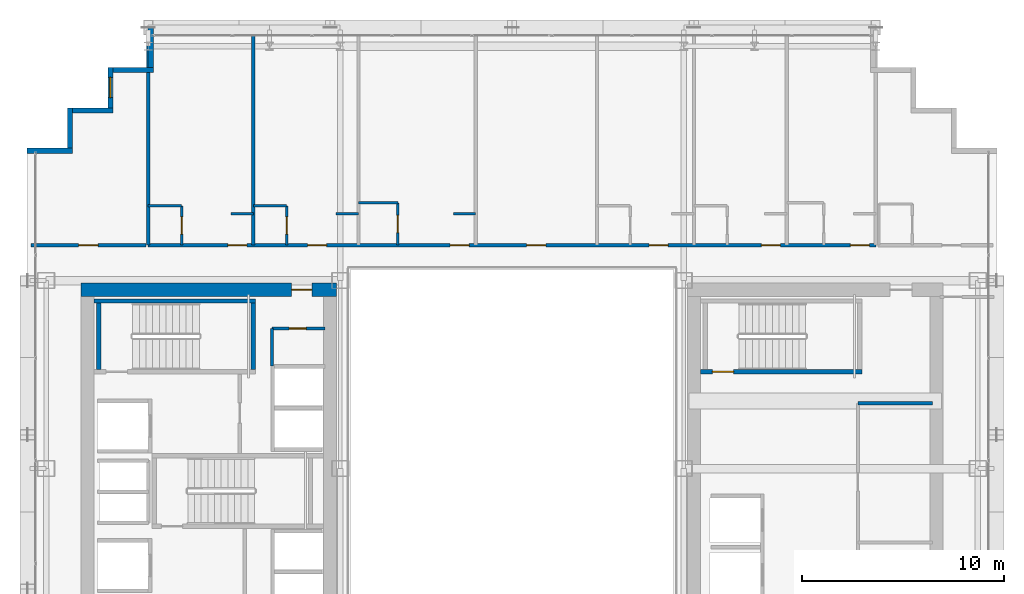
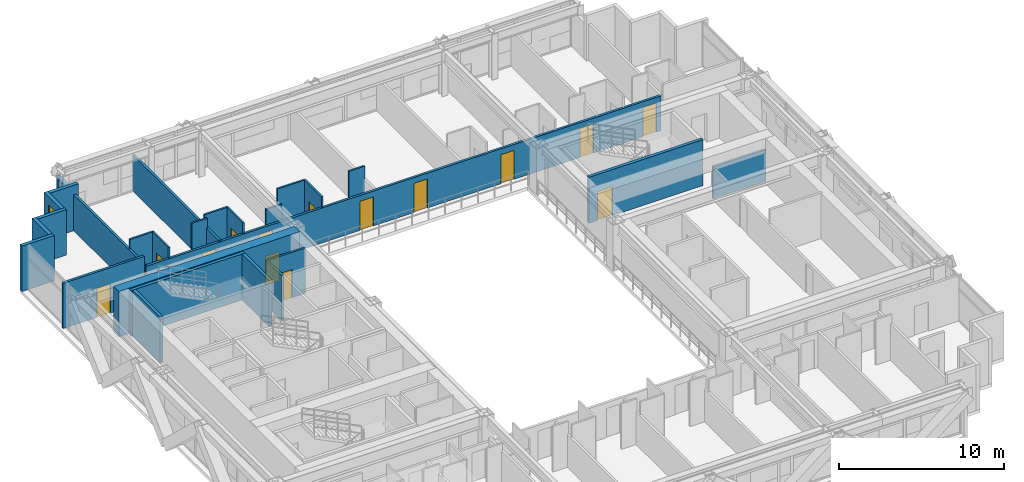
# One storey, part 30 of 35: 27 walls, 14 doors, 1 window, 15 openings.
"""IFC4 building model written with IfcOpenShell, lengths in metres."""

import ifcopenshell
import ifcopenshell.guid

model = None  # the IFC model being written
_history = None  # IfcOwnerHistory: only IFC2X3 demands one
_inside = {}  # id of a spatial element -> (the spatial element, [elements in it])
_under = {}  # id of a project, library or spatial element -> (it, [spatial elements below it])
_declared = {}  # id of a project -> (the project, [libraries it declares])
_typed = {}  # id of a type object -> (the type object, [elements of that type])
_made_of = {}  # id of a material, layer set ... -> (it, [elements and type objects made of it])


def new_model(schema):
    """Start an empty IFC model of exactly this schema.

    Asked for "IFC4X3", IfcOpenShell would pick the latest addendum, in which some entities
    have other attributes; the version numbers below select the first issue.
    IFC2X3 requires an IfcOwnerHistory on every rooted entity: one is made here for all.
    """
    global model, _history
    if schema == "IFC4X3":
        model = ifcopenshell.file(schema_version=(4, 3, 0, 0))
    else:
        model = ifcopenshell.file(schema=schema)
    _inside.clear()
    _under.clear()
    _declared.clear()
    _typed.clear()
    _made_of.clear()
    _history = None
    if model.schema == "IFC2X3":
        org = make("IfcOrganization", Name="unknown")
        user = make(
            "IfcPersonAndOrganization",
            ThePerson=make("IfcPerson", FamilyName="unknown"),
            TheOrganization=org,
        )
        app = make(
            "IfcApplication",
            ApplicationDeveloper=org,
            Version="unknown",
            ApplicationFullName="unknown",
            ApplicationIdentifier="unknown",
        )
        _history = make(
            "IfcOwnerHistory",
            OwningUser=user,
            OwningApplication=app,
            ChangeAction="ADDED",
            CreationDate=0,
        )
    return model


def make(cls, **values):
    """One entity of the class cls with the attributes given. An attribute that is None is left unset."""
    return model.create_entity(
        cls, **{name: value for name, value in values.items() if value is not None}
    )


def rooted(cls, **values):
    """An entity with a GlobalId (a new one), such as an element, a storey or a relation."""
    return make(cls, GlobalId=ifcopenshell.guid.new(), OwnerHistory=_history, **values)


def si_unit(unit_type, name, prefix=None):
    """IfcSIUnit, for example si_unit("LENGTHUNIT", "METRE", prefix="MILLI")."""
    return make("IfcSIUnit", UnitType=unit_type, Prefix=prefix, Name=name)


def assignment(units):
    """IfcUnitAssignment: the units of a project."""
    return None if units is None else make("IfcUnitAssignment", Units=units)


def point(xyz):
    """IfcCartesianPoint."""
    return None if xyz is None else make("IfcCartesianPoint", Coordinates=xyz)


def direction(xyz):
    """IfcDirection."""
    return None if xyz is None else make("IfcDirection", DirectionRatios=xyz)


def frame(location, z_axis=None, x_axis=None):
    """IfcAxis2Placement3D, a coordinate frame: its origin and axes. An axis left out is left unset."""
    return make(
        "IfcAxis2Placement3D",
        Location=point(location),
        Axis=direction(z_axis),
        RefDirection=direction(x_axis),
    )


def frame_2d(location, x_axis=None):
    """IfcAxis2Placement2D, a coordinate frame in the plane: its origin and x axis."""
    return make(
        "IfcAxis2Placement2D", Location=point(location), RefDirection=direction(x_axis)
    )


def origin():
    """The frame at (0, 0, 0) with its axes left unset."""
    return frame((0.0, 0.0, 0.0))


def place(relative_to, where):
    """IfcLocalPlacement: puts the frame where relative to a parent placement (None: the world)."""
    return make(
        "IfcLocalPlacement", PlacementRelTo=relative_to, RelativePlacement=where
    )


def context(
    kind, dimensions, precision=None, world=None, true_north=None, identifier=None
):
    """IfcGeometricRepresentationContext, for example the 3D "Model" context."""
    return make(
        "IfcGeometricRepresentationContext",
        ContextIdentifier=identifier,
        ContextType=kind,
        CoordinateSpaceDimension=dimensions,
        Precision=precision,
        WorldCoordinateSystem=world,
        TrueNorth=true_north,
    )


def subcontext(parent, identifier, kind, view, scale=None):
    """IfcGeometricRepresentationSubContext, for example "Body" below "Model"."""
    return make(
        "IfcGeometricRepresentationSubContext",
        ContextIdentifier=identifier,
        ContextType=kind,
        ParentContext=parent,
        TargetScale=scale,
        TargetView=view,
    )


def project(units=None, contexts=None):
    """IfcProject with its units and contexts."""
    return rooted(
        "IfcProject",
        Name="project",
        RepresentationContexts=contexts,
        UnitsInContext=assignment(units),
    )


def spatial(cls, under=None, at=None, **own):
    """A site, building, storey or space (cls), placed at a placement, below another one or the project."""
    s = rooted(cls, ObjectPlacement=at, **own)
    if under is not None:
        _under.setdefault(under.id(), (under, []))[1].append(s)
    return s


def profile(cls, at=None, kind="AREA", **sizes):
    """A parametric profile (cls). Its sizes go by their IFC names, for example OverallWidth=200.0."""
    return make(cls, ProfileType=kind, Position=at, **sizes)


def rectangle(**sizes):
    """IfcRectangleProfileDef."""
    return profile("IfcRectangleProfileDef", **sizes)


def extrude(swept, where, along, depth):
    """IfcExtrudedAreaSolid: the profile swept, set in the frame where, extruded along a direction by depth."""
    return make(
        "IfcExtrudedAreaSolid",
        SweptArea=swept,
        Position=where,
        ExtrudedDirection=direction(along),
        Depth=depth,
    )


def shape(context_of_items, identifier, shape_type, items):
    """IfcShapeRepresentation: the items that make up one representation, for example the "Body"."""
    return make(
        "IfcShapeRepresentation",
        ContextOfItems=context_of_items,
        RepresentationIdentifier=identifier,
        RepresentationType=shape_type,
        Items=items,
    )


def source(mapping_origin, context_of_items, identifier, shape_type, items):
    """IfcRepresentationMap: a shape defined once, which mapped items show again and again."""
    return make(
        "IfcRepresentationMap",
        MappingOrigin=mapping_origin,
        MappedRepresentation=shape(context_of_items, identifier, shape_type, items),
    )


def transform(
    local_origin,
    x_axis=None,
    y_axis=None,
    z_axis=None,
    scale=None,
    scale2=None,
    scale3=None,
    uniform=True,
):
    """IfcCartesianTransformationOperator3D, or its non-uniform kind. x_axis, y_axis, z_axis: its Axis1, 2, 3."""
    if uniform:
        return make(
            "IfcCartesianTransformationOperator3D",
            Axis1=direction(x_axis),
            Axis2=direction(y_axis),
            LocalOrigin=point(local_origin),
            Scale=scale,
            Axis3=direction(z_axis),
        )
    return make(
        "IfcCartesianTransformationOperator3DnonUniform",
        Axis1=direction(x_axis),
        Axis2=direction(y_axis),
        LocalOrigin=point(local_origin),
        Scale=scale,
        Axis3=direction(z_axis),
        Scale2=scale2,
        Scale3=scale3,
    )


def mapped(mapping_source, mapping_target):
    """IfcMappedItem: shows the shape of a source again, moved by a transform."""
    return make(
        "IfcMappedItem", MappingSource=mapping_source, MappingTarget=mapping_target
    )


def material(Name=None, Category=None):
    """IfcMaterial."""
    return make("IfcMaterial", Name=Name, Category=Category)


def layer(
    of_material, thickness, ventilated=None, Name=None, Category=None, Priority=None
):
    """IfcMaterialLayer: one layer of a wall or slab, of a material (None: an air gap)."""
    return make(
        "IfcMaterialLayer",
        Material=of_material,
        LayerThickness=thickness,
        IsVentilated=ventilated,
        Name=Name,
        Category=Category,
        Priority=Priority,
    )


def layer_set(layers, Name=None):
    """IfcMaterialLayerSet."""
    return make("IfcMaterialLayerSet", MaterialLayers=layers, LayerSetName=Name)


def made_of(thing, what):
    """Note that an element or type object is made of a material, layer set ...; save() writes the relation."""
    if what is not None:
        _made_of.setdefault(what.id(), (what, []))[1].append(thing)
    return thing


def type_object(cls, material=None, **own):
    """A type object (cls), such as IfcWallType, which elements share."""
    return made_of(rooted(cls, **own), material)


def element(
    cls,
    number,
    at=None,
    inside=None,
    cuts=None,
    type_object=None,
    material=None,
    context=None,
    identifier="Body",
    shape_type=None,
    held_by="IfcProductDefinitionShape",
    body=None,
    shapes=None,
    **own,
):
    """One element of the class cls, such as IfcWall. Its Tag is "e" and its number.

    at: its placement. inside: the storey or other place that contains it. cuts: it is an
    opening in that element (IfcRelVoidsElement). A single representation is given by context,
    identifier, shape_type and body (its items); several are given by shapes. held_by: the class
    of the entity that holds the representations. save() writes the other relations.
    """
    e = rooted(cls, Tag="e%d" % number, ObjectPlacement=at, **own)
    if body is not None:
        shapes = [shape(context, identifier, shape_type, body)]
    if shapes is not None:
        e.Representation = make(held_by, Representations=shapes)
    if inside is not None:
        _inside.setdefault(inside.id(), (inside, []))[1].append(e)
    if cuts is not None:
        rooted(
            "IfcRelVoidsElement", RelatingBuildingElement=cuts, RelatedOpeningElement=e
        )
    if type_object is not None:
        _typed.setdefault(type_object.id(), (type_object, []))[1].append(e)
    return made_of(e, material)


def fill(opening, filler):
    """IfcRelFillsElement: the door or window that sits in an opening."""
    return rooted(
        "IfcRelFillsElement",
        RelatingOpeningElement=opening,
        RelatedBuildingElement=filler,
    )


def aggregate(whole, parts):
    """IfcRelAggregates: a whole, such as a stair, and the parts it consists of."""
    return rooted("IfcRelAggregates", RelatingObject=whole, RelatedObjects=parts)


def save(model, path):
    """Write the relations noted so far, then the file.

    IfcRelAggregates (storeys below a building ...), IfcRelContainedInSpatialStructure (elements
    in a storey), IfcRelDefinesByType, IfcRelAssociatesMaterial and IfcRelDeclares: one each for
    every whole, place, type object, material and project.
    """
    for whole, parts in _under.values():
        aggregate(whole, parts)
    for where, things in _inside.values():
        rooted(
            "IfcRelContainedInSpatialStructure",
            RelatedElements=things,
            RelatingStructure=where,
        )
    for kind, things in _typed.values():
        rooted("IfcRelDefinesByType", RelatedObjects=things, RelatingType=kind)
    for what, things in _made_of.values():
        rooted("IfcRelAssociatesMaterial", RelatedObjects=things, RelatingMaterial=what)
    for by, libraries in _declared.values():
        rooted("IfcRelDeclares", RelatingContext=by, RelatedDefinitions=libraries)
    model.write(path)


model = new_model("IFC4")

# Units and contexts
model_context = context("Model", 3, precision=1e-05, world=origin(), true_north=direction((0.0, 1.0)))
body_context = subcontext(model_context, "Body", "Model", "MODEL_VIEW")
ifc_project = project(units=[si_unit("LENGTHUNIT", "METRE"), si_unit("AREAUNIT", "SQUARE_METRE"), si_unit("VOLUMEUNIT", "CUBIC_METRE"), si_unit("PLANEANGLEUNIT", "RADIAN"), si_unit("MASSUNIT", "GRAM", prefix="KILO")], contexts=[model_context])

# Site, building, storey
site_placement = place(None, origin())
site = spatial("IfcSite", under=ifc_project, at=site_placement, CompositionType="ELEMENT")
building_placement = place(site_placement, origin())
building = spatial("IfcBuilding", under=site, at=building_placement, Name="Ocotamira Hotel", CompositionType="ELEMENT")
storey_placement = place(building_placement, frame((0.0, 0.0, 100.800048828125)))
storey = spatial("IfcBuildingStorey", under=building, at=storey_placement, Name="L24", CompositionType="ELEMENT", Elevation=100.800048828125)

# Wall, opening, door
ifc_material_1 = material(Name="Concrete C60/75", Category="concrete")
ifc_layer_1 = layer(ifc_material_1, 0.64990234375)
ifc_layer_set_1 = layer_set([ifc_layer_1], Name="Concrete C60/75")
wall_type_1 = type_object("IfcWallType", Name="WL-CORE-650", PredefinedType="SHEAR", material=ifc_layer_set_1)
wall_1_placement = place(storey_placement, frame((10.675048828125, 37.0, 0.0), z_axis=(0.0, 0.0, 1.0), x_axis=(1.0, 0.0, 0.0)))
wall_1 = element("IfcWall", 1, at=wall_1_placement, inside=storey, type_object=wall_type_1, Name="L24 Shear Core Wall WCORE-N", PredefinedType="SHEAR", context=body_context, shape_type="SweptSolid", body=[
    extrude(rectangle(XDim=12.64990234375, YDim=0.64990234375, at=frame_2d((6.324951171875, 0.0))), origin(), (0.0, 0.0, 1.0), 3.35986328125),
])
opening_1_placement = place(wall_1_placement, frame((10.425048828125, 0.0, 0.0)))
opening_1 = element("IfcOpeningElement", 2, at=opening_1_placement, cuts=wall_1, Name="Opening D-FR2", PredefinedType="OPENING", context=body_context, shape_type="SweptSolid", body=[
    extrude(rectangle(XDim=1.0, YDim=2.14990234375, at=frame_2d((0.5, 1.074951171875))), frame((0.0, 0.3349609375, 0.0), z_axis=(0.0, -1.0, 0.0), x_axis=(1.0, 0.0, 0.0)), (0.0, 0.0, 1.0), 0.669921875),
])
ifc_material_2 = material(Name="Fire-rated acoustic timber-veneer door", Category="wood")
door_type_1 = type_object("IfcDoorType", Name="DR-FIRE-1000", OperationType="NOTDEFINED", PredefinedType="DOOR", material=ifc_material_2)
shared_shape_1 = source(origin(), body_context, "Body", "SweptSolid", [
    extrude(rectangle(XDim=1.0, YDim=2.14990234375, at=frame_2d((0.5, 1.074951171875))), frame((0.0, 0.02490234375, 0.0), z_axis=(0.0, -1.0, 0.0), x_axis=(1.0, 0.0, 0.0)), (0.0, 0.0, 1.0), 0.050048828125),
])
door_1_placement = place(opening_1_placement, origin())
door_1 = element("IfcDoor", 3, at=door_1_placement, inside=storey, type_object=door_type_1, Name="L24 Door ID-L24-WLOB-N-D [ID-L24-WLOB-N-D]", OperationType="SINGLE_SWING_RIGHT", OverallHeight=2.14990234375, OverallWidth=1.0, PredefinedType="DOOR", context=body_context, shape_type="MappedRepresentation", body=[
    mapped(shared_shape_1, transform((0.0, 0.0, 0.0), scale=1.0)),
])
fill(opening_1, door_1)

# Walls
ifc_material_3 = material(Name="Precast concrete C45/55", Category="concrete")
ifc_layer_2 = layer(ifc_material_3, 0.25)
ifc_layer_set_2 = layer_set([ifc_layer_2], Name="Precast concrete C45/55")
wall_type_2 = type_object("IfcWallType", Name="WL-EXT-SER-250", PredefinedType="SOLIDWALL", material=ifc_layer_set_2)
wall_2_placement = place(storey_placement, frame((14.125, 50.0, 0.0), z_axis=(0.0, 0.0, 1.0), x_axis=(0.0, -1.0, 0.0)))
element("IfcWall", 4, at=wall_2_placement, inside=storey, type_object=wall_type_2, Name="L24 Serrated Corner Wall 13", PredefinedType="SOLIDWALL", context=body_context, shape_type="SweptSolid", body=[
    extrude(rectangle(XDim=2.0, YDim=0.25, at=frame_2d((1.0, 0.0))), origin(), (0.0, 0.0, 1.0), 2.6669921875),
])
wall_3_placement = place(storey_placement, frame((14.25, 47.875, 0.0), z_axis=(0.0, 0.0, 1.0), x_axis=(-1.0, 0.0, 0.0)))
element("IfcWall", 5, at=wall_3_placement, inside=storey, type_object=wall_type_2, Name="L24 Serrated Corner Wall 14", PredefinedType="SOLIDWALL", context=body_context, shape_type="SweptSolid", body=[
    extrude(rectangle(XDim=2.0, YDim=0.25, at=frame_2d((1.0, 0.0))), origin(), (0.0, 0.0, 1.0), 3.35986328125),
])

# Wall, opening, window
wall_4_placement = place(storey_placement, frame((12.125, 48.0, 0.0), z_axis=(0.0, 0.0, 1.0), x_axis=(0.0, -1.0, 0.0)))
wall_4 = element("IfcWall", 6, at=wall_4_placement, inside=storey, type_object=wall_type_2, Name="L24 Serrated Corner Wall 15", PredefinedType="SOLIDWALL", context=body_context, shape_type="SweptSolid", body=[
    extrude(rectangle(XDim=2.0, YDim=0.25, at=frame_2d((1.0, 0.0))), origin(), (0.0, 0.0, 1.0), 3.35986328125),
])
opening_2_placement = place(wall_4_placement, frame((0.5, 0.0, 0.85009765625)))
opening_2 = element("IfcOpeningElement", 7, at=opening_2_placement, cuts=wall_4, Name="Opening WN-2", PredefinedType="OPENING", context=body_context, shape_type="SweptSolid", body=[
    extrude(rectangle(XDim=1.0, YDim=1.89990234375, at=frame_2d((0.5, 0.949951171875))), frame((0.0, 0.135009765625, 0.0), z_axis=(0.0, -1.0, 0.0), x_axis=(1.0, 0.0, 0.0)), (0.0, 0.0, 1.0), 0.27001953125),
])
ifc_material_4 = material(Name="Double-silver low-E solar glass", Category="glass")
window_type = type_object("IfcWindowType", Name="WIN-SER-1100", PartitioningType="SINGLE_PANEL", PredefinedType="WINDOW", material=ifc_material_4)
shared_shape_2 = source(origin(), body_context, "Body", "SweptSolid", [
    extrude(rectangle(XDim=1.0, YDim=1.89990234375, at=frame_2d((0.5, 0.949951171875))), frame((0.0, 0.030029296875, 0.0), z_axis=(0.0, -1.0, 0.0), x_axis=(1.0, 0.0, 0.0)), (0.0, 0.0, 1.0), 0.06005859375),
])
window_placement = place(opening_2_placement, origin())
window = element("IfcWindow", 8, at=window_placement, inside=storey, type_object=window_type, Name="L24 Serrated Corner Window 15", OverallHeight=1.89990234375, OverallWidth=1.0, PartitioningType="SINGLE_PANEL", PredefinedType="WINDOW", context=body_context, shape_type="MappedRepresentation", body=[
    mapped(shared_shape_2, transform((0.0, 0.0, 0.0), scale=1.0)),
])
fill(opening_2, window)

# Walls
for number, where, z_axis, x_axis, name in (
    (9, (12.25, 45.875, 0.0), (0.0, 0.0, 1.0), (-1.0, 0.0, 0.0), "L24 Serrated Corner Wall 16"),
    (10, (10.125, 46.0, 0.0), (0.0, 0.0, 1.0), (0.0, -1.0, 0.0), "L24 Serrated Corner Wall 17"),
):
    element("IfcWall", number, at=place(storey_placement, frame(where, z_axis=z_axis, x_axis=x_axis)), inside=storey, type_object=wall_type_2, Name=name, PredefinedType="SOLIDWALL", context=body_context, shape_type="SweptSolid", body=[
        extrude(rectangle(XDim=2.0, YDim=0.25, at=frame_2d((1.0, 0.0))), origin(), (0.0, 0.0, 1.0), 3.35986328125),
    ])
wall_5_placement = place(storey_placement, frame((10.25, 43.875, 0.0), z_axis=(0.0, 0.0, 1.0), x_axis=(-1.0, 0.0, 0.0)))
element("IfcWall", 11, at=wall_5_placement, inside=storey, type_object=wall_type_2, Name="L24 Serrated Corner Wall 18", PredefinedType="SOLIDWALL", context=body_context, shape_type="SweptSolid", body=[
    extrude(rectangle(XDim=2.25, YDim=0.25, at=frame_2d((1.125, 0.0))), origin(), (0.0, 0.0, 1.0), 3.35986328125),
])
ifc_material_5 = material(Name="Acoustic double-layer fire gypsum board partition", Category="gypsum")
ifc_layer_3 = layer(ifc_material_5, 0.159912109375)
ifc_layer_set_3 = layer_set([ifc_layer_3], Name="Acoustic double-layer fire gypsum board partition")
wall_type_3 = type_object("IfcWallType", Name="WL-FIRE-160", PredefinedType="PARTITIONING", material=ifc_layer_set_3)
wall_6_placement = place(storey_placement, frame((49.1201171875, 31.3798828125, 0.0), z_axis=(0.0, 0.0, 1.0), x_axis=(1.0, 0.0, 0.0)))
element("IfcWall", 12, at=wall_6_placement, inside=storey, type_object=wall_type_3, Name="L24 Interior Wall PW-L24-EC-FLOW-N", PredefinedType="PARTITIONING", context=body_context, shape_type="SweptSolid", body=[
    extrude(rectangle(XDim=3.679931640625, YDim=0.159912109375, at=frame_2d((1.83984375, 0.0))), origin(), (0.0, 0.0, 1.0), 2.35986328125),
])

# Wall, opening, door
wall_7_placement = place(storey_placement, frame((8.199951171875, 39.199951171875, 0.0), z_axis=(0.0, 0.0, 1.0), x_axis=(1.0, 0.0, 0.0)))
wall_7 = element("IfcWall", 13, at=wall_7_placement, inside=storey, type_object=wall_type_3, Name="L24 Interior Wall PW-L24-Z2A-CNW-CW", PredefinedType="PARTITIONING", context=body_context, shape_type="SweptSolid", body=[
    extrude(rectangle(XDim=5.679931640625, YDim=0.159912109375, at=frame_2d((2.83984375, 0.0))), origin(), (0.0, 0.0, 1.0), 3.35986328125),
])
opening_3_placement = place(wall_7_placement, frame((2.360107421875, 0.0, 0.0)))
opening_3 = element("IfcOpeningElement", 14, at=opening_3_placement, cuts=wall_7, Name="Opening D-SV4", PredefinedType="OPENING", context=body_context, shape_type="SweptSolid", body=[
    extrude(rectangle(XDim=0.9599609375, YDim=2.14990234375, at=frame_2d((0.47998046875, 1.074951171875))), frame((0.0, 0.08984375, 0.0), z_axis=(0.0, -1.0, 0.0), x_axis=(1.0, 0.0, 0.0)), (0.0, 0.0, 1.0), 0.179931640625),
])
ifc_material_6 = material(Name="Fire-rated accessible walnut salon door", Category="wood")
door_type_2 = type_object("IfcDoorType", Name="DR-SERV-960", OperationType="NOTDEFINED", PredefinedType="DOOR", material=ifc_material_6)
shared_shape_3 = source(origin(), body_context, "Body", "SweptSolid", [
    extrude(rectangle(XDim=0.9599609375, YDim=2.14990234375, at=frame_2d((0.47998046875, 1.074951171875))), frame((0.0, 0.02490234375, 0.0), z_axis=(0.0, -1.0, 0.0), x_axis=(1.0, 0.0, 0.0)), (0.0, 0.0, 1.0), 0.050048828125),
])
door_2_placement = place(opening_3_placement, origin())
door_2 = element("IfcDoor", 15, at=door_2_placement, inside=storey, type_object=door_type_2, Name="L24 Door ID-L24-Z2A-CNW-CD [ID-L24-Z2A-CNW-CD]", OperationType="SINGLE_SWING_LEFT", OverallHeight=2.14990234375, OverallWidth=0.9599609375, PredefinedType="DOOR", context=body_context, shape_type="MappedRepresentation", body=[
    mapped(shared_shape_3, transform((0.0, 0.0, 0.0), scale=1.0)),
])
fill(opening_3, door_2)

# Wall, openings, doors
wall_8_placement = place(storey_placement, frame((14.0, 39.199951171875, 0.0), z_axis=(0.0, 0.0, 1.0), x_axis=(1.0, 0.0, 0.0)))
wall_8 = element("IfcWall", 16, at=wall_8_placement, inside=storey, type_object=wall_type_3, Name="L24 Interior Wall PW-L24-Z2AN-CORRW", PredefinedType="PARTITIONING", context=body_context, shape_type="SweptSolid", body=[
    extrude(rectangle(XDim=36.0, YDim=0.159912109375, at=frame_2d((18.0, 0.0))), origin(), (0.0, 0.0, 1.0), 2.5810546875),
])
opening_4_placement = place(wall_8_placement, frame((3.93994140625, 0.0, 0.0)))
opening_4 = element("IfcOpeningElement", 17, at=opening_4_placement, cuts=wall_8, Name="Opening D-GR1", PredefinedType="OPENING", context=body_context, shape_type="SweptSolid", body=[
    extrude(rectangle(XDim=0.93994140625, YDim=2.14990234375, at=frame_2d((0.469970703125, 1.074951171875))), frame((0.0, 0.08984375, 0.0), z_axis=(0.0, -1.0, 0.0), x_axis=(1.0, 0.0, 0.0)), (0.0, 0.0, 1.0), 0.179931640625),
])
opening_5_placement = place(wall_8_placement, frame((7.889892578125, 0.0, 0.0)))
opening_5 = element("IfcOpeningElement", 18, at=opening_5_placement, cuts=wall_8, Name="Opening D-GR1", PredefinedType="OPENING", context=body_context, shape_type="SweptSolid", body=[
    extrude(rectangle(XDim=0.93994140625, YDim=2.14990234375, at=frame_2d((0.469970703125, 1.074951171875))), frame((0.0, 0.08984375, 0.0), z_axis=(0.0, -1.0, 0.0), x_axis=(1.0, 0.0, 0.0)), (0.0, 0.0, 1.0), 0.179931640625),
])
opening_6_placement = place(wall_8_placement, frame((14.93994140625, 0.0, 0.0)))
opening_6 = element("IfcOpeningElement", 19, at=opening_6_placement, cuts=wall_8, Name="Opening D-GR1", PredefinedType="OPENING", context=body_context, shape_type="SweptSolid", body=[
    extrude(rectangle(XDim=0.93994140625, YDim=2.14990234375, at=frame_2d((0.469970703125, 1.074951171875))), frame((0.0, 0.08984375, 0.0), z_axis=(0.0, -1.0, 0.0), x_axis=(1.0, 0.0, 0.0)), (0.0, 0.0, 1.0), 0.179931640625),
])
opening_7_placement = place(wall_8_placement, frame((18.719970703125, 0.0, 0.0)))
opening_7 = element("IfcOpeningElement", 20, at=opening_7_placement, cuts=wall_8, Name="Opening D-SV4", PredefinedType="OPENING", context=body_context, shape_type="SweptSolid", body=[
    extrude(rectangle(XDim=0.9599609375, YDim=2.14990234375, at=frame_2d((0.47998046875, 1.074951171875))), frame((0.0, 0.08984375, 0.0), z_axis=(0.0, -1.0, 0.0), x_axis=(1.0, 0.0, 0.0)), (0.0, 0.0, 1.0), 0.179931640625),
])
opening_8_placement = place(wall_8_placement, frame((24.7900390625, 0.0, 0.0)))
opening_8 = element("IfcOpeningElement", 21, at=opening_8_placement, cuts=wall_8, Name="Opening D-GR1", PredefinedType="OPENING", context=body_context, shape_type="SweptSolid", body=[
    extrude(rectangle(XDim=0.93994140625, YDim=2.14990234375, at=frame_2d((0.469970703125, 1.074951171875))), frame((0.0, 0.08984375, 0.0), z_axis=(0.0, -1.0, 0.0), x_axis=(1.0, 0.0, 0.0)), (0.0, 0.0, 1.0), 0.179931640625),
])
opening_9_placement = place(wall_8_placement, frame((30.340087890625, 0.0, 0.0)))
opening_9 = element("IfcOpeningElement", 22, at=opening_9_placement, cuts=wall_8, Name="Opening D-GR1", PredefinedType="OPENING", context=body_context, shape_type="SweptSolid", body=[
    extrude(rectangle(XDim=0.93994140625, YDim=2.14990234375, at=frame_2d((0.469970703125, 1.074951171875))), frame((0.0, 0.08984375, 0.0), z_axis=(0.0, -1.0, 0.0), x_axis=(1.0, 0.0, 0.0)), (0.0, 0.0, 1.0), 0.179931640625),
])
opening_10_placement = place(wall_8_placement, frame((34.739990234375, 0.0, 0.0)))
opening_10 = element("IfcOpeningElement", 23, at=opening_10_placement, cuts=wall_8, Name="Opening D-GR1", PredefinedType="OPENING", context=body_context, shape_type="SweptSolid", body=[
    extrude(rectangle(XDim=0.93994140625, YDim=2.14990234375, at=frame_2d((0.469970703125, 1.074951171875))), frame((0.0, 0.08984375, 0.0), z_axis=(0.0, -1.0, 0.0), x_axis=(1.0, 0.0, 0.0)), (0.0, 0.0, 1.0), 0.179931640625),
])
door_3_placement = place(opening_7_placement, origin())
door_3 = element("IfcDoor", 24, at=door_3_placement, inside=storey, type_object=door_type_2, Name="L24 Door ID-L24-Z2AN-AMD4 [ID-L24-Z2AN-AMD4]", OperationType="SINGLE_SWING_RIGHT", OverallHeight=2.14990234375, OverallWidth=0.9599609375, PredefinedType="DOOR", context=body_context, shape_type="MappedRepresentation", body=[
    mapped(shared_shape_3, transform((0.0, 0.0, 0.0), scale=1.0)),
])
fill(opening_7, door_3)
ifc_material_7 = material(Name="Solid-core walnut suite entrance fire door", Category="wood")
door_type_3 = type_object("IfcDoorType", Name="DR-GUEST-940", OperationType="NOTDEFINED", PredefinedType="DOOR", material=ifc_material_7)
shared_shape_4 = source(origin(), body_context, "Body", "SweptSolid", [
    extrude(rectangle(XDim=0.93994140625, YDim=2.14990234375, at=frame_2d((0.469970703125, 1.074951171875))), frame((0.0, 0.02490234375, 0.0), z_axis=(0.0, -1.0, 0.0), x_axis=(1.0, 0.0, 0.0)), (0.0, 0.0, 1.0), 0.050048828125),
])
door_4_placement = place(opening_4_placement, origin())
door_4 = element("IfcDoor", 25, at=door_4_placement, inside=storey, type_object=door_type_3, Name="L24 Door ID-L24-Z2AN-RMD1 [ID-L24-Z2AN-RMD1]", OperationType="SINGLE_SWING_LEFT", OverallHeight=2.14990234375, OverallWidth=0.93994140625, PredefinedType="DOOR", context=body_context, shape_type="MappedRepresentation", body=[
    mapped(shared_shape_4, transform((0.0, 0.0, 0.0), scale=1.0)),
])
fill(opening_4, door_4)
door_5_placement = place(opening_5_placement, origin())
door_5 = element("IfcDoor", 26, at=door_5_placement, inside=storey, type_object=door_type_3, Name="L24 Door ID-L24-Z2AN-RMD2 [ID-L24-Z2AN-RMD2]", OperationType="SINGLE_SWING_RIGHT", OverallHeight=2.14990234375, OverallWidth=0.93994140625, PredefinedType="DOOR", context=body_context, shape_type="MappedRepresentation", body=[
    mapped(shared_shape_4, transform((0.0, 0.0, 0.0), scale=1.0)),
])
fill(opening_5, door_5)
door_6_placement = place(opening_6_placement, origin())
door_6 = element("IfcDoor", 27, at=door_6_placement, inside=storey, type_object=door_type_3, Name="L24 Door ID-L24-Z2AN-RMD3 [ID-L24-Z2AN-RMD3]", OperationType="SINGLE_SWING_LEFT", OverallHeight=2.14990234375, OverallWidth=0.93994140625, PredefinedType="DOOR", context=body_context, shape_type="MappedRepresentation", body=[
    mapped(shared_shape_4, transform((0.0, 0.0, 0.0), scale=1.0)),
])
fill(opening_6, door_6)
door_7_placement = place(opening_8_placement, origin())
door_7 = element("IfcDoor", 28, at=door_7_placement, inside=storey, type_object=door_type_3, Name="L24 Door ID-L24-Z2AN-RMD5 [ID-L24-Z2AN-RMD5]", OperationType="SINGLE_SWING_LEFT", OverallHeight=2.14990234375, OverallWidth=0.93994140625, PredefinedType="DOOR", context=body_context, shape_type="MappedRepresentation", body=[
    mapped(shared_shape_4, transform((0.0, 0.0, 0.0), scale=1.0)),
])
fill(opening_8, door_7)
door_8_placement = place(opening_9_placement, origin())
door_8 = element("IfcDoor", 29, at=door_8_placement, inside=storey, type_object=door_type_3, Name="L24 Door ID-L24-Z2AN-RMD6 [ID-L24-Z2AN-RMD6]", OperationType="SINGLE_SWING_RIGHT", OverallHeight=2.14990234375, OverallWidth=0.93994140625, PredefinedType="DOOR", context=body_context, shape_type="MappedRepresentation", body=[
    mapped(shared_shape_4, transform((0.0, 0.0, 0.0), scale=1.0)),
])
fill(opening_9, door_8)
door_9_placement = place(opening_10_placement, origin())
door_9 = element("IfcDoor", 30, at=door_9_placement, inside=storey, type_object=door_type_3, Name="L24 Door ID-L24-Z2AN-RMD7 [ID-L24-Z2AN-RMD7]", OperationType="SINGLE_SWING_LEFT", OverallHeight=2.14990234375, OverallWidth=0.93994140625, PredefinedType="DOOR", context=body_context, shape_type="MappedRepresentation", body=[
    mapped(shared_shape_4, transform((0.0, 0.0, 0.0), scale=1.0)),
])
fill(opening_10, door_9)

# Wall, opening, door
ifc_material_8 = material(Name="Moisture-resistant en-suite tile and gypsum partition", Category="gypsum")
ifc_layer_4 = layer(ifc_material_8, 0.1201171875)
ifc_layer_set_4 = layer_set([ifc_layer_4], Name="Moisture-resistant en-suite tile and gypsum partition")
wall_type_4 = type_object("IfcWallType", Name="WL-PART-120", PredefinedType="PARTITIONING", material=ifc_layer_set_4)
wall_9_placement = place(storey_placement, frame((15.64990234375, 39.199951171875, 0.0), z_axis=(0.0, 0.0, 1.0), x_axis=(0.0, 1.0, 0.0)))
wall_9 = element("IfcWall", 31, at=wall_9_placement, inside=storey, type_object=wall_type_4, Name="L24 Interior Wall PW-L24-Z2AN-BAE1", PredefinedType="PARTITIONING", context=body_context, shape_type="SweptSolid", body=[
    extrude(rectangle(XDim=1.949951171875, YDim=0.1201171875, at=frame_2d((0.97509765625, 0.0))), origin(), (0.0, 0.0, 1.0), 3.35986328125),
])
opening_11_placement = place(wall_9_placement, frame((0.544921875, 0.0, 0.0)))
opening_11 = element("IfcOpeningElement", 32, at=opening_11_placement, cuts=wall_9, Name="Opening D-BA1", PredefinedType="OPENING", context=body_context, shape_type="SweptSolid", body=[
    extrude(rectangle(XDim=0.860107421875, YDim=2.10009765625, at=frame_2d((0.43017578125, 1.050048828125))), frame((0.0, 0.070068359375, 0.0), z_axis=(0.0, -1.0, 0.0), x_axis=(1.0, 0.0, 0.0)), (0.0, 0.0, 1.0), 0.14013671875),
])
ifc_material_9 = material(Name="Moisture-sealed en-suite timber door", Category="wood")
door_type_4 = type_object("IfcDoorType", Name="DR-BATH-860", OperationType="NOTDEFINED", PredefinedType="DOOR", material=ifc_material_9)
shared_shape_5 = source(origin(), body_context, "Body", "SweptSolid", [
    extrude(rectangle(XDim=0.860107421875, YDim=2.10009765625, at=frame_2d((0.43017578125, 1.050048828125))), frame((0.0, 0.02490234375, 0.0), z_axis=(0.0, -1.0, 0.0), x_axis=(1.0, 0.0, 0.0)), (0.0, 0.0, 1.0), 0.050048828125),
])
door_10_placement = place(opening_11_placement, origin())
door_10 = element("IfcDoor", 33, at=door_10_placement, inside=storey, type_object=door_type_4, Name="L24 Door ID-L24-Z2AN-BAD1 [ID-L24-Z2AN-BAD1]", OperationType="SINGLE_SWING_RIGHT", OverallHeight=2.10009765625, OverallWidth=0.860107421875, PredefinedType="DOOR", context=body_context, shape_type="MappedRepresentation", body=[
    mapped(shared_shape_5, transform((0.0, 0.0, 0.0), scale=1.0)),
])
fill(opening_11, door_10)

# Walls
wall_10_placement = place(storey_placement, frame((14.0, 41.14990234375, 0.0), z_axis=(0.0, 0.0, 1.0), x_axis=(1.0, 0.0, 0.0)))
element("IfcWall", 34, at=wall_10_placement, inside=storey, type_object=wall_type_4, Name="L24 Interior Wall PW-L24-Z2AN-BAN1", PredefinedType="PARTITIONING", context=body_context, shape_type="SweptSolid", body=[
    extrude(rectangle(XDim=1.64990234375, YDim=0.1201171875, at=frame_2d((0.824951171875, 0.0))), origin(), (0.0, 0.0, 1.0), 3.35986328125),
])
wall_11_placement = place(storey_placement, frame((18.10009765625, 40.75, 0.0), z_axis=(0.0, 0.0, 1.0), x_axis=(1.0, 0.0, 0.0)))
element("IfcWall", 35, at=wall_11_placement, inside=storey, type_object=wall_type_4, Name="L24 Interior Wall PW-L24-Z2AN-DRN1", PredefinedType="PARTITIONING", context=body_context, shape_type="SweptSolid", body=[
    extrude(rectangle(XDim=1.099853515625, YDim=0.1201171875, at=frame_2d((0.5498046875, 0.0))), origin(), (0.0, 0.0, 1.0), 3.35986328125),
])

# Wall, opening, door
wall_12_placement = place(storey_placement, frame((20.85009765625, 39.199951171875, 0.0), z_axis=(0.0, 0.0, 1.0), x_axis=(0.0, 1.0, 0.0)))
wall_12 = element("IfcWall", 36, at=wall_12_placement, inside=storey, type_object=wall_type_4, Name="L24 Interior Wall PW-L24-Z2AN-BAE2", PredefinedType="PARTITIONING", context=body_context, shape_type="SweptSolid", body=[
    extrude(rectangle(XDim=1.949951171875, YDim=0.1201171875, at=frame_2d((0.97509765625, 0.0))), origin(), (0.0, 0.0, 1.0), 3.35986328125),
])
opening_12_placement = place(wall_12_placement, frame((0.544921875, 0.0, 0.0)))
opening_12 = element("IfcOpeningElement", 37, at=opening_12_placement, cuts=wall_12, Name="Opening D-BA1", PredefinedType="OPENING", context=body_context, shape_type="SweptSolid", body=[
    extrude(rectangle(XDim=0.860107421875, YDim=2.10009765625, at=frame_2d((0.43017578125, 1.050048828125))), frame((0.0, 0.070068359375, 0.0), z_axis=(0.0, -1.0, 0.0), x_axis=(1.0, 0.0, 0.0)), (0.0, 0.0, 1.0), 0.14013671875),
])
door_11_placement = place(opening_12_placement, origin())
door_11 = element("IfcDoor", 38, at=door_11_placement, inside=storey, type_object=door_type_4, Name="L24 Door ID-L24-Z2AN-BAD2 [ID-L24-Z2AN-BAD2]", OperationType="SINGLE_SWING_LEFT", OverallHeight=2.10009765625, OverallWidth=0.860107421875, PredefinedType="DOOR", context=body_context, shape_type="MappedRepresentation", body=[
    mapped(shared_shape_5, transform((0.0, 0.0, 0.0), scale=1.0)),
])
fill(opening_12, door_11)

# Walls
wall_13_placement = place(storey_placement, frame((19.199951171875, 41.14990234375, 0.0), z_axis=(0.0, 0.0, 1.0), x_axis=(1.0, 0.0, 0.0)))
element("IfcWall", 39, at=wall_13_placement, inside=storey, type_object=wall_type_4, Name="L24 Interior Wall PW-L24-Z2AN-BAN2", PredefinedType="PARTITIONING", context=body_context, shape_type="SweptSolid", body=[
    extrude(rectangle(XDim=1.650146484375, YDim=0.1201171875, at=frame_2d((0.8251953125, 0.0))), origin(), (0.0, 0.0, 1.0), 3.35986328125),
])
wall_14_placement = place(storey_placement, frame((23.300048828125, 40.75, 0.0), z_axis=(0.0, 0.0, 1.0), x_axis=(1.0, 0.0, 0.0)))
element("IfcWall", 40, at=wall_14_placement, inside=storey, type_object=wall_type_4, Name="L24 Interior Wall PW-L24-Z2AN-DRN2", PredefinedType="PARTITIONING", context=body_context, shape_type="SweptSolid", body=[
    extrude(rectangle(XDim=1.099853515625, YDim=0.1201171875, at=frame_2d((0.5498046875, 0.0))), origin(), (0.0, 0.0, 1.0), 2.5810546875),
])

# Wall, opening, door
wall_15_placement = place(storey_placement, frame((26.35009765625, 39.199951171875, 0.0), z_axis=(0.0, 0.0, 1.0), x_axis=(0.0, 1.0, 0.0)))
wall_15 = element("IfcWall", 41, at=wall_15_placement, inside=storey, type_object=wall_type_4, Name="L24 Interior Wall PW-L24-Z2AN-BAE3", PredefinedType="PARTITIONING", context=body_context, shape_type="SweptSolid", body=[
    extrude(rectangle(XDim=2.10009765625, YDim=0.1201171875, at=frame_2d((1.050048828125, 0.0))), origin(), (0.0, 0.0, 1.0), 3.35986328125),
])
opening_13_placement = place(wall_15_placement, frame((0.6201171875, 0.0, 0.0)))
opening_13 = element("IfcOpeningElement", 42, at=opening_13_placement, cuts=wall_15, Name="Opening D-BA1", PredefinedType="OPENING", context=body_context, shape_type="SweptSolid", body=[
    extrude(rectangle(XDim=0.860107421875, YDim=2.10009765625, at=frame_2d((0.43017578125, 1.050048828125))), frame((0.0, 0.070068359375, 0.0), z_axis=(0.0, -1.0, 0.0), x_axis=(1.0, 0.0, 0.0)), (0.0, 0.0, 1.0), 0.14013671875),
])
door_12_placement = place(opening_13_placement, origin())
door_12 = element("IfcDoor", 43, at=door_12_placement, inside=storey, type_object=door_type_4, Name="L24 Door ID-L24-Z2AN-BAD3 [ID-L24-Z2AN-BAD3]", OperationType="SINGLE_SWING_RIGHT", OverallHeight=2.10009765625, OverallWidth=0.860107421875, PredefinedType="DOOR", context=body_context, shape_type="MappedRepresentation", body=[
    mapped(shared_shape_5, transform((0.0, 0.0, 0.0), scale=1.0)),
])
fill(opening_13, door_12)

# Walls
wall_16_placement = place(storey_placement, frame((24.39990234375, 41.300048828125, 0.0), z_axis=(0.0, 0.0, 1.0), x_axis=(1.0, 0.0, 0.0)))
element("IfcWall", 44, at=wall_16_placement, inside=storey, type_object=wall_type_4, Name="L24 Interior Wall PW-L24-Z2AN-BAN3", PredefinedType="PARTITIONING", context=body_context, shape_type="SweptSolid", body=[
    extrude(rectangle(XDim=1.9501953125, YDim=0.1201171875, at=frame_2d((0.97509765625, 0.0))), origin(), (0.0, 0.0, 1.0), 3.35986328125),
])
wall_17_placement = place(storey_placement, frame((29.10009765625, 40.75, 0.0), z_axis=(0.0, 0.0, 1.0), x_axis=(1.0, 0.0, 0.0)))
element("IfcWall", 45, at=wall_17_placement, inside=storey, type_object=wall_type_4, Name="L24 Interior Wall PW-L24-Z2AN-DRN3", PredefinedType="PARTITIONING", context=body_context, shape_type="SweptSolid", body=[
    extrude(rectangle(XDim=1.099853515625, YDim=0.1201171875, at=frame_2d((0.5498046875, 0.0))), origin(), (0.0, 0.0, 1.0), 3.35986328125),
])
ifc_material_10 = material(Name="Acoustic hospitality gypsum board partition", Category="gypsum")
ifc_layer_5 = layer(ifc_material_10, 0.14208984375)
ifc_layer_set_5 = layer_set([ifc_layer_5], Name="Acoustic hospitality gypsum board partition")
wall_type_5 = type_object("IfcWallType", Name="WL-PART-142", PredefinedType="PARTITIONING", material=ifc_layer_set_5)
wall_18_placement = place(storey_placement, frame((20.1201171875, 33.219970703125, 0.0), z_axis=(0.0, 0.0, 1.0), x_axis=(0.0, 1.0, 0.0)))
element("IfcWall", 46, at=wall_18_placement, inside=storey, type_object=wall_type_5, Name="L24 Interior Wall PW-L24-WC-NE-W2", PredefinedType="PARTITIONING", context=body_context, shape_type="SweptSolid", body=[
    extrude(rectangle(XDim=1.860107421875, YDim=0.14208984375, at=frame_2d((0.93017578125, 0.0))), origin(), (0.0, 0.0, 1.0), 3.35986328125),
])

# Wall, opening, door
wall_19_placement = place(storey_placement, frame((20.1201171875, 35.080078125, 0.0), z_axis=(0.0, 0.0, 1.0), x_axis=(1.0, 0.0, 0.0)))
wall_19 = element("IfcWall", 47, at=wall_19_placement, inside=storey, type_object=wall_type_5, Name="L24 Interior Wall PW-L24-WC-NE-N2", PredefinedType="PARTITIONING", context=body_context, shape_type="SweptSolid", body=[
    extrude(rectangle(XDim=2.6298828125, YDim=0.14208984375, at=frame_2d((1.31494140625, 0.0))), origin(), (0.0, 0.0, 1.0), 3.35986328125),
])
opening_14_placement = place(wall_19_placement, frame((0.85009765625, 0.0, 0.0)))
opening_14 = element("IfcOpeningElement", 48, at=opening_14_placement, cuts=wall_19, Name="Opening D-SV1", PredefinedType="OPENING", context=body_context, shape_type="SweptSolid", body=[
    extrude(rectangle(XDim=0.840087890625, YDim=2.10009765625, at=frame_2d((0.419921875, 1.050048828125))), frame((0.0, 0.0810546875, 0.0), z_axis=(0.0, -1.0, 0.0), x_axis=(1.0, 0.0, 0.0)), (0.0, 0.0, 1.0), 0.162109375),
])
ifc_material_11 = material(Name="Fire-rated painted steel service door", Category="steel")
door_type_5 = type_object("IfcDoorType", Name="DR-SERV-840", OperationType="NOTDEFINED", PredefinedType="DOOR", material=ifc_material_11)
shared_shape_6 = source(origin(), body_context, "Body", "SweptSolid", [
    extrude(rectangle(XDim=0.840087890625, YDim=2.10009765625, at=frame_2d((0.419921875, 1.050048828125))), frame((0.0, 0.02490234375, 0.0), z_axis=(0.0, -1.0, 0.0), x_axis=(1.0, 0.0, 0.0)), (0.0, 0.0, 1.0), 0.050048828125),
])
door_13_placement = place(opening_14_placement, origin())
door_13 = element("IfcDoor", 49, at=door_13_placement, inside=storey, type_object=door_type_5, Name="L24 Door ID-L24-WC-NE-D2 [ID-L24-WC-NE-D2]", OperationType="SINGLE_SWING_RIGHT", OverallHeight=2.10009765625, OverallWidth=0.840087890625, PredefinedType="DOOR", context=body_context, shape_type="MappedRepresentation", body=[
    mapped(shared_shape_6, transform((0.0, 0.0, 0.0), scale=1.0)),
])
fill(opening_14, door_13)

# Walls
ifc_material_12 = material(Name="Acoustic double-stud hospitality gypsum partition", Category="gypsum")
ifc_layer_6 = layer(ifc_material_12, 0.159912109375)
ifc_layer_set_6 = layer_set([ifc_layer_6], Name="Acoustic double-stud hospitality gypsum partition")
wall_type_6 = type_object("IfcWallType", Name="WL-PART-160", PredefinedType="PARTITIONING", material=ifc_layer_set_6)
for number, where, z_axis, x_axis, name in (
    (50, (14.0, 39.199951171875, 0.0), (0.0, 0.0, 1.0), (0.0, 1.0, 0.0), "L24 Interior Wall PW-L24-Z2AN-PW0"),
    (51, (19.199951171875, 39.199951171875, 0.0), (0.0, 0.0, 1.0), (0.0, 1.0, 0.0), "L24 Interior Wall PW-L24-Z2AN-PW1"),
):
    element("IfcWall", number, at=place(storey_placement, frame(where, z_axis=z_axis, x_axis=x_axis)), inside=storey, type_object=wall_type_6, Name=name, PredefinedType="PARTITIONING", context=body_context, shape_type="SweptSolid", body=[
        extrude(rectangle(XDim=10.43994140625, YDim=0.159912109375, at=frame_2d((5.219970703125, 0.0))), origin(), (0.0, 0.0, 1.0), 2.6669921875),
    ])
ifc_material_13 = material(Name="Concrete C50/60", Category="concrete")
ifc_layer_7 = layer(ifc_material_13, 0.219970703125)
ifc_layer_set_7 = layer_set([ifc_layer_7], Name="Concrete C50/60")
wall_type_7 = type_object("IfcWallType", Name="WL-STAIR-220", PredefinedType="SHEAR", material=ifc_layer_set_7)
wall_20_placement = place(storey_placement, frame((11.324951171875, 36.43994140625, 0.0), z_axis=(0.0, 0.0, 1.0), x_axis=(1.0, 0.0, 0.0)))
element("IfcWall", 52, at=wall_20_placement, inside=storey, type_object=wall_type_7, Name="L24 Stair Shaft Structural Wall ST-2-N", PredefinedType="SHEAR", context=body_context, shape_type="SweptSolid", body=[
    extrude(rectangle(XDim=7.985107421875, YDim=0.219970703125, at=frame_2d((3.99267578125, 0.0))), origin(), (0.0, 0.0, 1.0), 3.39990234375),
])
for number, where, z_axis, x_axis, name in (
    (53, (11.56005859375, 33.050048828125, 0.0), (0.0, 0.0, 1.0), (0.0, 1.0, 0.0), "L24 Stair Shaft Structural Wall ST-2-W"),
    (54, (19.199951171875, 33.050048828125, 0.0), (0.0, 0.0, 1.0), (0.0, 1.0, 0.0), "L24 Stair Shaft Structural Wall ST-2-E"),
):
    element("IfcWall", number, at=place(storey_placement, frame(where, z_axis=z_axis, x_axis=x_axis)), inside=storey, type_object=wall_type_7, Name=name, PredefinedType="SHEAR", context=body_context, shape_type="SweptSolid", body=[
        extrude(rectangle(XDim=3.280029296875, YDim=0.219970703125, at=frame_2d((1.64013671875, 0.0))), origin(), (0.0, 0.0, 1.0), 3.39990234375),
    ])

# Wall, opening, door
wall_21_placement = place(storey_placement, frame((41.324951171875, 32.93994140625, 0.0), z_axis=(0.0, 0.0, 1.0), x_axis=(1.0, 0.0, 0.0)))
wall_21 = element("IfcWall", 55, at=wall_21_placement, inside=storey, type_object=wall_type_7, Name="L24 Stair Shaft Structural Wall ST-4-S", PredefinedType="SHEAR", context=body_context, shape_type="SweptSolid", body=[
    extrude(rectangle(XDim=7.985107421875, YDim=0.219970703125, at=frame_2d((3.99267578125, 0.0))), origin(), (0.0, 0.0, 1.0), 3.39990234375),
])
opening_15_placement = place(wall_21_placement, frame((0.594970703125, 0.0, 0.0)))
opening_15 = element("IfcOpeningElement", 56, at=opening_15_placement, cuts=wall_21, Name="Opening D-ST2", PredefinedType="OPENING", context=body_context, shape_type="SweptSolid", body=[
    extrude(rectangle(XDim=1.050048828125, YDim=2.14990234375, at=frame_2d((0.52490234375, 1.074951171875))), frame((0.0, 0.1201171875, 0.0), z_axis=(0.0, -1.0, 0.0), x_axis=(1.0, 0.0, 0.0)), (0.0, 0.0, 1.0), 0.239990234375),
])
ifc_material_14 = material(Name="Insulated painted hollow-metal fire exit door", Category="steel")
door_type_6 = type_object("IfcDoorType", Name="DR-STAIR-1050", OperationType="NOTDEFINED", PredefinedType="DOOR", material=ifc_material_14)
shared_shape_7 = source(origin(), body_context, "Body", "SweptSolid", [
    extrude(rectangle(XDim=1.050048828125, YDim=2.14990234375, at=frame_2d((0.52490234375, 1.074951171875))), frame((0.0, 0.02490234375, 0.0), z_axis=(0.0, -1.0, 0.0), x_axis=(1.0, 0.0, 0.0)), (0.0, 0.0, 1.0), 0.050048828125),
])
door_14_placement = place(opening_15_placement, origin())
door_14 = element("IfcDoor", 57, at=door_14_placement, inside=storey, type_object=door_type_6, Name="L24 Door ID-L24-STD-ST-4 [ID-L24-STD-ST-4]", OperationType="SINGLE_SWING_RIGHT", OverallHeight=2.14990234375, OverallWidth=1.050048828125, PredefinedType="DOOR", context=body_context, shape_type="MappedRepresentation", body=[
    mapped(shared_shape_7, transform((0.0, 0.0, 0.0), scale=1.0)),
])
fill(opening_15, door_14)

save(model, "model.ifc")
